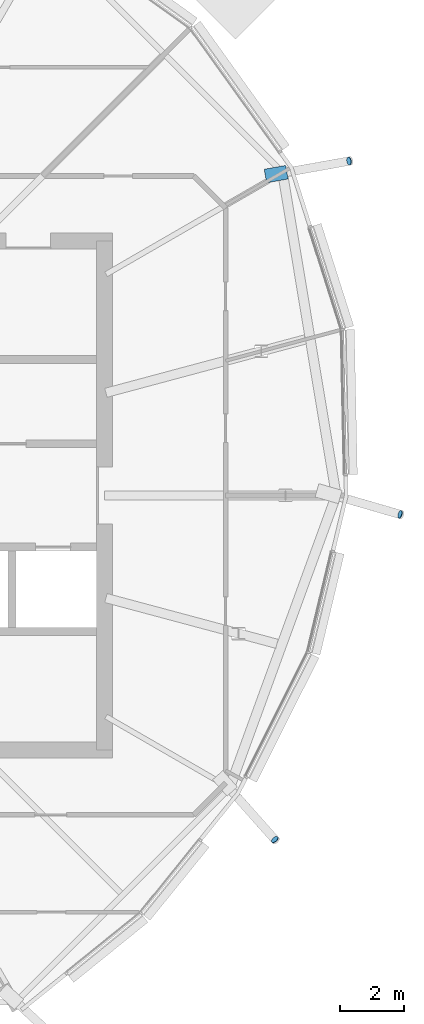
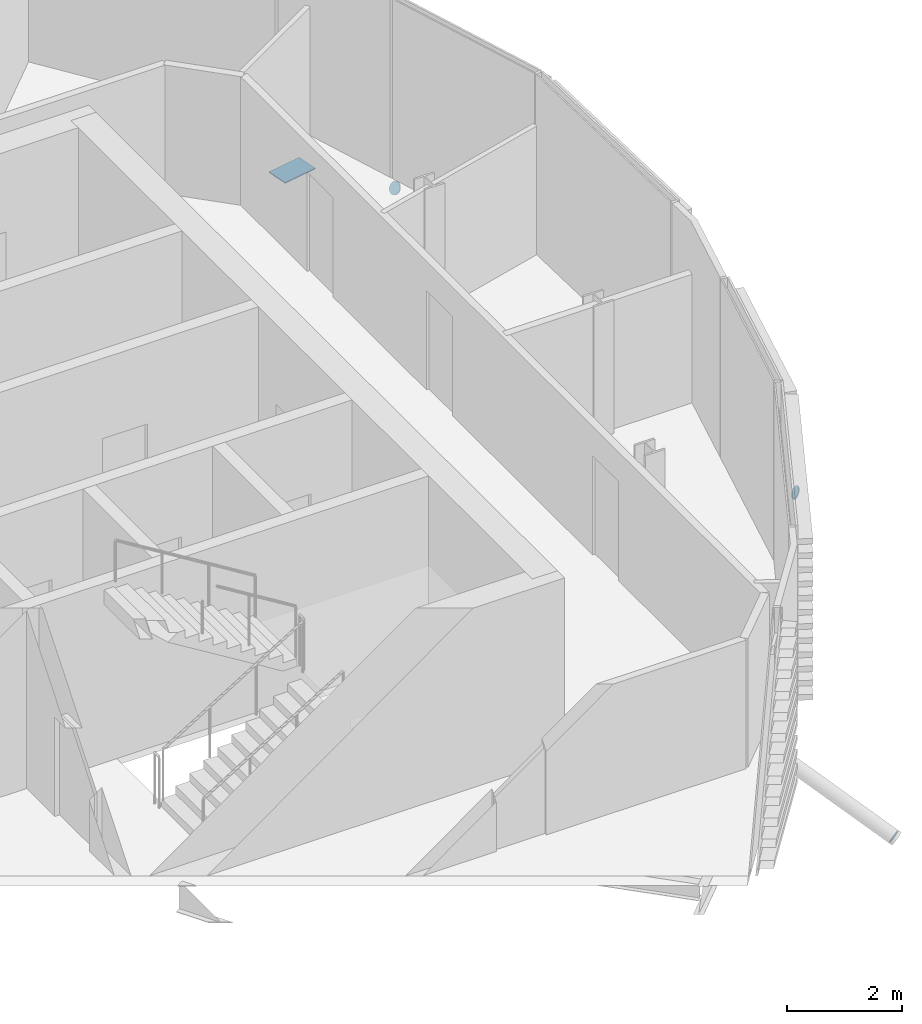
# One storey, part 27 of 35: 4 discrete accessories.
"""IFC4 building model written with IfcOpenShell, lengths in metres."""

from ifc_helpers import new_model, si_unit, direction, frame, origin, origin_2d, place, context, subcontext, project, spatial, polyline, rectangle, circle, outline, extrude, material, material_profile, profile_set, type_object, element, save


model = new_model("IFC4")

# Units and contexts
model_context = context("Model", 3, precision=1e-05, world=origin(), true_north=direction((0.0, 1.0)))
body_context = subcontext(model_context, "Body", "Model", "MODEL_VIEW")
ifc_project = project(units=[si_unit("LENGTHUNIT", "METRE"), si_unit("AREAUNIT", "SQUARE_METRE"), si_unit("VOLUMEUNIT", "CUBIC_METRE"), si_unit("PLANEANGLEUNIT", "RADIAN"), si_unit("MASSUNIT", "GRAM", prefix="KILO")], contexts=[model_context])

# Site, building, storey
site_placement = place(None, origin())
site = spatial("IfcSite", under=ifc_project, at=site_placement, CompositionType="ELEMENT")
building_placement = place(site_placement, origin())
building = spatial("IfcBuilding", under=site, at=building_placement, Name="Rimbun Link Towers", CompositionType="ELEMENT")
storey_placement = place(building_placement, frame((0.0, 0.0, 225.699951171875)))
storey = spatial("IfcBuildingStorey", under=building, at=storey_placement, Name="L55", CompositionType="ELEMENT", Elevation=225.699951171875)

# Discrete accessories
ifc_material_1 = material(Name="Steel S355J2H", Category="steel")
ifc_material_profile_1 = material_profile(ifc_material_1, circle(Radius=0.1240234375, at=origin_2d()), Name="PL D248")
ifc_profile_set_1 = profile_set([ifc_material_profile_1], Name="Steel S355J2H")
discrete_accessory_type_1 = type_object("IfcDiscreteAccessoryType", Name="Link foot sealing plate D248X20", PredefinedType="BRACKET", material=ifc_profile_set_1)
for number, where, z_axis, x_axis, name in (
    (1, (49.0966796875, -10.8173828125, -1.899169921875), (0.563284074751, -0.636755910588, -0.526548156832), (0.74899656249, 0.662573882203, 0.0), "Link foot sealing plate T2 L55 19"),
    (2, (53.031494140625, -0.5947265625, -2.194091796875), (0.854548625418, -0.256364587625, -0.451689987721), (0.287347885566, 0.957826285221, 0.0), "Link foot sealing plate T2 L55 21"),
    (3, (51.427490234375, 10.51220703125, -1.92529296875), (0.83959252353, 0.146016091049, -0.523224326258), (-0.171341174751, 0.98521175482, 0.0), "Link foot sealing plate T2 L55 23"),
):
    element("IfcDiscreteAccessory", number, at=place(storey_placement, frame(where, z_axis=z_axis, x_axis=x_axis)), inside=storey, type_object=discrete_accessory_type_1, Name=name, PredefinedType="BRACKET", context=body_context, shape_type="SweptSolid", body=[
        extrude(circle(Radius=0.1240234375, at=origin_2d()), origin(), (0.0, 0.0, 1.0), 0.02001953125),
    ])
ifc_material_2 = material(Name="Steel S355J2H", Category="steel")
ifc_material_profile_2 = material_profile(ifc_material_2, rectangle(XDim=0.43310546875, YDim=0.43310546875, at=origin_2d()), Name="PL 433x433")
ifc_profile_set_2 = profile_set([ifc_material_profile_2], Name="Steel S355J2H")
discrete_accessory_type_2 = type_object("IfcDiscreteAccessoryType", Name="Link head end plate 433X20", PredefinedType="BRACKET", material=ifc_profile_set_2)
discrete_accessory_placement = place(storey_placement, frame((0.0, 0.0, -0.514892578125)))
element("IfcDiscreteAccessory", 4, at=discrete_accessory_placement, inside=storey, type_object=discrete_accessory_type_2, Name="Link head end plate T2 L55 23", PredefinedType="BRACKET", context=body_context, shape_type="SweptSolid", body=[
    extrude(outline(polyline([(48.84228515625, 9.829833984375), (49.517333984375, 9.950439453125), (49.441162109375, 10.376708984375), (48.76611328125, 10.256103515625), (48.84228515625, 9.829833984375)])), origin(), (0.0, 0.0, 1.0), 0.02001953125),
])

save(model, "model.ifc")
